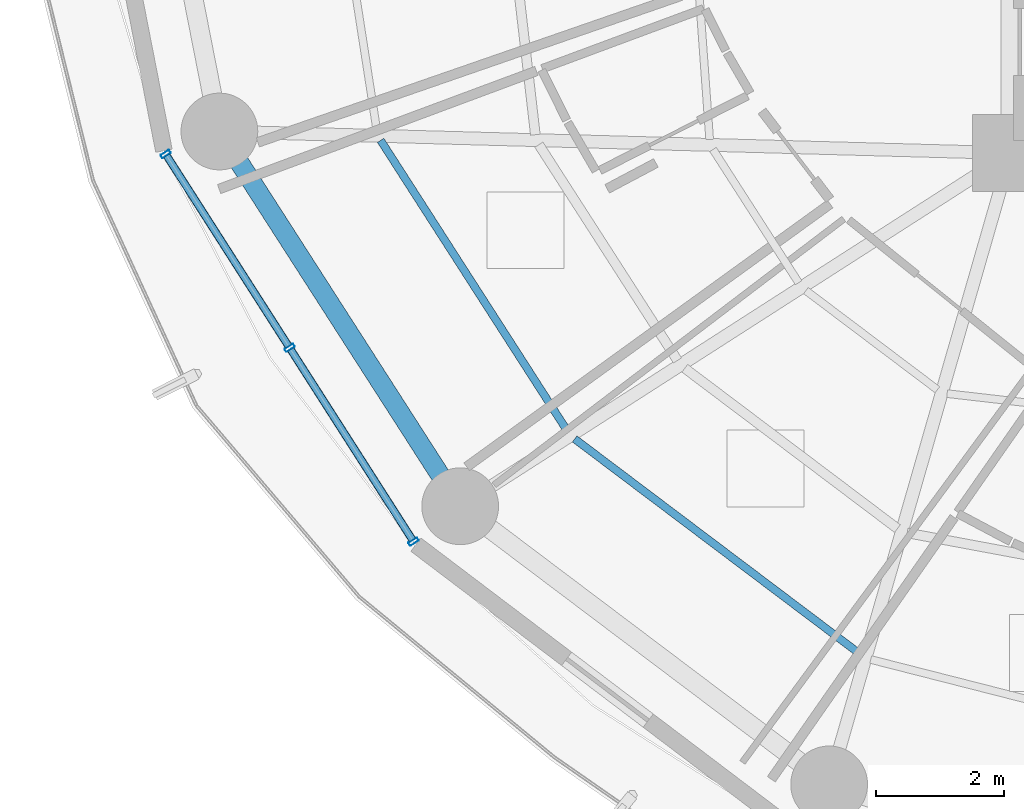
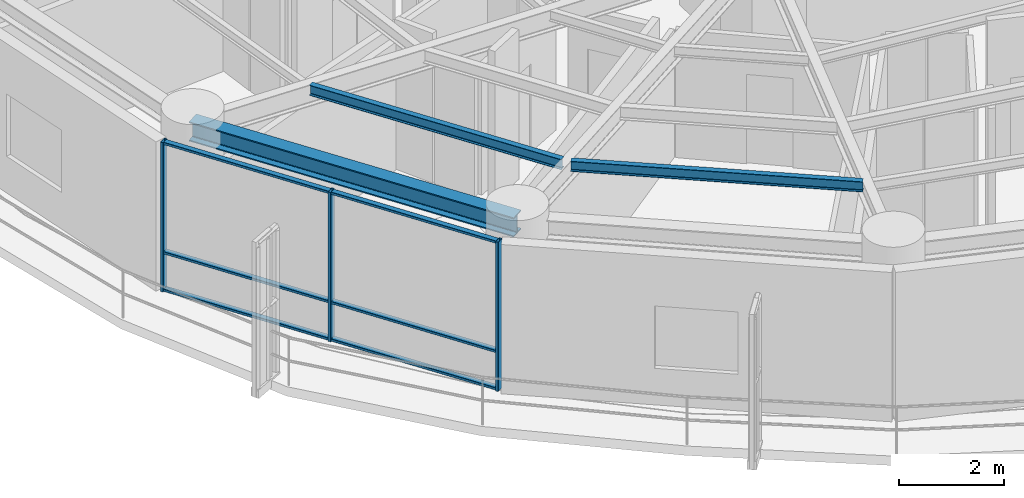
# One storey, part 2 of 27: 9 members, 3 beams, 1 element without a shape of its own.
"""IFC4 building model written with IfcOpenShell, lengths in metres."""

from ifc_helpers import new_model, si_unit, direction, frame, origin, origin_2d, place, context, subcontext, project, spatial, hollow_rectangle, i_section, extrude, material, layer, layer_set, material_profile, profile_set, type_object, element, aggregate, save


model = new_model("IFC4")

# Units and contexts
model_context = context("Model", 3, precision=1e-05, world=origin(), true_north=direction((0.0, 1.0)))
body_context = subcontext(model_context, "Body", "Model", "MODEL_VIEW")
ifc_project = project(units=[si_unit("LENGTHUNIT", "METRE"), si_unit("AREAUNIT", "SQUARE_METRE"), si_unit("VOLUMEUNIT", "CUBIC_METRE"), si_unit("PLANEANGLEUNIT", "RADIAN"), si_unit("MASSUNIT", "GRAM", prefix="KILO")], contexts=[model_context])

# Site, building, storey
site_placement = place(None, origin())
site = spatial("IfcSite", under=ifc_project, at=site_placement, CompositionType="ELEMENT")
building_placement = place(site_placement, origin())
building = spatial("IfcBuilding", under=site, at=building_placement, Name="Kelanora Arch Commons", CompositionType="ELEMENT")
storey_placement = place(building_placement, frame((0.0, 0.0, 143.10009765625)))
storey = spatial("IfcBuildingStorey", under=building, at=storey_placement, Name="L36", CompositionType="ELEMENT", Elevation=143.10009765625)

# Beams
ifc_material_1 = material(Name="Steel S355", Category="steel")
ifc_material_profile_1 = material_profile(ifc_material_1, i_section(OverallWidth=0.1201171875, OverallDepth=0.239990234375, WebThickness=0.006103515625, FlangeThickness=0.009765625, FilletRadius=0.014892578125, at=origin_2d()), Name="IPE240")
ifc_profile_set_1 = profile_set([ifc_material_profile_1], Name="Steel S355")
beam_type_1 = type_object("IfcBeamType", Name="BM-JST-02", PredefinedType="JOIST", material=ifc_profile_set_1)
beam_1_placement = place(storey_placement, frame((56.14794921875, 51.198486328125, 3.369873046875), z_axis=(0.540581678156, -0.841291536414, 0.0), x_axis=(0.841291536414, 0.540581678156, 0.0)))
element("IfcBeam", 1, at=beam_1_placement, inside=storey, type_object=beam_type_1, Name="Secondary Chord Joist BJC-20 L36", PredefinedType="JOIST", context=body_context, shape_type="SweptSolid", body=[
    extrude(i_section(OverallWidth=0.1201171875, OverallDepth=0.239990234375, WebThickness=0.006103515625, FlangeThickness=0.009765625, FilletRadius=0.014892578125, at=origin_2d()), origin(), (0.0, 0.0, 1.0), 5.4013671875),
])
beam_2_placement = place(storey_placement, frame((59.181640625, 46.531494140625, 3.369873046875), z_axis=(0.798493128577, -0.602003923256, 0.0), x_axis=(0.602003923256, 0.798493128577, 0.0)))
element("IfcBeam", 2, at=beam_2_placement, inside=storey, type_object=beam_type_1, Name="Secondary Chord Joist BJC-22 L36", PredefinedType="JOIST", context=body_context, shape_type="SweptSolid", body=[
    extrude(i_section(OverallWidth=0.1201171875, OverallDepth=0.239990234375, WebThickness=0.006103515625, FlangeThickness=0.009765625, FilletRadius=0.014892578125, at=origin_2d()), origin(), (0.0, 0.0, 1.0), 5.608642578125),
])
ifc_material_profile_2 = material_profile(ifc_material_1, i_section(OverallWidth=0.300048828125, OverallDepth=0.449951171875, WebThickness=0.013916015625, FlangeThickness=0.02587890625, FilletRadius=0.027099609375, at=origin_2d()), Name="HEB450")
ifc_profile_set_2 = profile_set([ifc_material_profile_2], Name="Steel S355")
beam_type_2 = type_object("IfcBeamType", Name="BM-SPN-Z3", PredefinedType="SPANDREL", material=ifc_profile_set_2)
beam_3_placement = place(storey_placement, frame((53.62744140625, 51.33740234375, 3.264892578125), z_axis=(0.540576852469, -0.841294637196, 0.0), x_axis=(0.841294637196, 0.540576852469, 0.0)))
element("IfcBeam", 3, at=beam_3_placement, inside=storey, type_object=beam_type_2, Name="Perimeter Spandrel Beam BS-20 L36", PredefinedType="SPANDREL", context=body_context, shape_type="SweptSolid", body=[
    extrude(i_section(OverallWidth=0.300048828125, OverallDepth=0.449951171875, WebThickness=0.013916015625, FlangeThickness=0.02587890625, FilletRadius=0.027099609375, at=origin_2d()), origin(), (0.0, 0.0, 1.0), 6.964111328125),
])

# Curtain wall, members
ifc_material_2 = material(Name="Terracotta ceramic-fritted low-E glass and aluminium", Category="masonry")
ifc_layer = layer(ifc_material_2, 0.175048828125)
ifc_layer_set = layer_set([ifc_layer], Name="Terracotta ceramic-fritted low-E glass and aluminium")
curtain_wall_type = type_object("IfcCurtainWallType", Name="CW-SYS-02", PredefinedType="NOTDEFINED", material=ifc_layer_set)
curtain_wall_placement = place(storey_placement, origin())
curtain_wall = element("IfcCurtainWall", 4, at=curtain_wall_placement, inside=storey, type_object=curtain_wall_type, Name="Unitised Curtain Wall L36-B10", PredefinedType="NOTDEFINED")
ifc_material_3 = material(Name="Powder-coated aluminium terracotta", Category="masonry")
ifc_material_profile_3 = material_profile(ifc_material_3, hollow_rectangle(XDim=0.159912109375, YDim=0.06005859375, WallThickness=0.0048828125, InnerFilletRadius=0.0048828125, OuterFilletRadius=0.010009765625, at=origin_2d()), Name="CWM160x60")
ifc_profile_set_3 = profile_set([ifc_material_profile_3], Name="Powder-coated aluminium terracotta")
member_type_1 = type_object("IfcMemberType", Name="CWM-STD", PredefinedType="MULLION", material=ifc_profile_set_3)
member_1_placement = place(storey_placement, frame((52.787109375, 50.98486328125, 0.0), z_axis=(0.0, 0.0, 1.0), x_axis=(0.842422846546, 0.538816988983, 0.0)))
member_1 = element("IfcMember", 5, at=member_1_placement, type_object=member_type_1, Name="CW-02 mullion 1", PredefinedType="MULLION", context=body_context, shape_type="SweptSolid", body=[
    extrude(hollow_rectangle(XDim=0.159912109375, YDim=0.06005859375, WallThickness=0.0048828125, InnerFilletRadius=0.0048828125, OuterFilletRadius=0.010009765625, at=origin_2d()), origin(), (0.0, 0.0, 1.0), 3.474853515625),
])
member_2_placement = place(storey_placement, frame((54.72509765625, 47.954833984375, 0.0), z_axis=(0.0, 0.0, 1.0), x_axis=(0.842422846546, 0.538816988983, 0.0)))
member_2 = element("IfcMember", 6, at=member_2_placement, type_object=member_type_1, Name="CW-02 mullion 2", PredefinedType="MULLION", context=body_context, shape_type="SweptSolid", body=[
    extrude(hollow_rectangle(XDim=0.159912109375, YDim=0.06005859375, WallThickness=0.0048828125, InnerFilletRadius=0.0048828125, OuterFilletRadius=0.010009765625, at=origin_2d()), origin(), (0.0, 0.0, 1.0), 3.474853515625),
])
member_3_placement = place(storey_placement, frame((56.6630859375, 44.925048828125, 0.0), z_axis=(0.0, 0.0, 1.0), x_axis=(0.842422846546, 0.538816988983, 0.0)))
member_3 = element("IfcMember", 7, at=member_3_placement, type_object=member_type_1, Name="CW-02 mullion 3", PredefinedType="MULLION", context=body_context, shape_type="SweptSolid", body=[
    extrude(hollow_rectangle(XDim=0.159912109375, YDim=0.06005859375, WallThickness=0.0048828125, InnerFilletRadius=0.0048828125, OuterFilletRadius=0.010009765625, at=origin_2d()), origin(), (0.0, 0.0, 1.0), 3.474853515625),
])
ifc_material_profile_4 = material_profile(ifc_material_3, hollow_rectangle(XDim=0.1201171875, YDim=0.06005859375, WallThickness=0.0048828125, InnerFilletRadius=0.0048828125, OuterFilletRadius=0.010009765625, at=origin_2d()), Name="CWT120x60")
ifc_profile_set_4 = profile_set([ifc_material_profile_4], Name="Powder-coated aluminium terracotta")
member_type_2 = type_object("IfcMemberType", Name="CWT-STD", PredefinedType="USERDEFINED", material=ifc_profile_set_4)
member_4_placement = place(storey_placement, frame((52.80322265625, 50.959716796875, 0.02978515625), z_axis=(0.53883037555, -0.842414284295, 0.0), x_axis=(0.842414284295, 0.53883037555, 0.0)))
member_4 = element("IfcMember", 8, at=member_4_placement, type_object=member_type_2, Name="CW-02 transom 1.1", ObjectType="TRANSOM", PredefinedType="USERDEFINED", context=body_context, shape_type="SweptSolid", body=[
    extrude(hollow_rectangle(XDim=0.1201171875, YDim=0.06005859375, WallThickness=0.0048828125, InnerFilletRadius=0.0048828125, OuterFilletRadius=0.010009765625, at=origin_2d()), origin(), (0.0, 0.0, 1.0), 3.536865234375),
])
member_5_placement = place(storey_placement, frame((52.80322265625, 50.959716796875, 0.89990234375), z_axis=(0.53883037555, -0.842414284295, 0.0), x_axis=(0.842414284295, 0.53883037555, 0.0)))
member_5 = element("IfcMember", 9, at=member_5_placement, type_object=member_type_2, Name="CW-02 transom 1.2", ObjectType="TRANSOM", PredefinedType="USERDEFINED", context=body_context, shape_type="SweptSolid", body=[
    extrude(hollow_rectangle(XDim=0.1201171875, YDim=0.06005859375, WallThickness=0.0048828125, InnerFilletRadius=0.0048828125, OuterFilletRadius=0.010009765625, at=origin_2d()), origin(), (0.0, 0.0, 1.0), 3.536865234375),
])
member_6_placement = place(storey_placement, frame((52.80322265625, 50.959716796875, 3.44482421875), z_axis=(0.53883037555, -0.842414284295, 0.0), x_axis=(0.842414284295, 0.53883037555, 0.0)))
member_6 = element("IfcMember", 10, at=member_6_placement, type_object=member_type_2, Name="CW-02 transom 1.3", ObjectType="TRANSOM", PredefinedType="USERDEFINED", context=body_context, shape_type="SweptSolid", body=[
    extrude(hollow_rectangle(XDim=0.1201171875, YDim=0.06005859375, WallThickness=0.0048828125, InnerFilletRadius=0.0048828125, OuterFilletRadius=0.010009765625, at=origin_2d()), origin(), (0.0, 0.0, 1.0), 3.536865234375),
])
member_7_placement = place(storey_placement, frame((54.7412109375, 47.9296875, 0.02978515625), z_axis=(0.53883037555, -0.842414284295, 0.0), x_axis=(0.842414284295, 0.53883037555, 0.0)))
member_7 = element("IfcMember", 11, at=member_7_placement, type_object=member_type_2, Name="CW-02 transom 2.1", ObjectType="TRANSOM", PredefinedType="USERDEFINED", context=body_context, shape_type="SweptSolid", body=[
    extrude(hollow_rectangle(XDim=0.1201171875, YDim=0.06005859375, WallThickness=0.0048828125, InnerFilletRadius=0.0048828125, OuterFilletRadius=0.010009765625, at=origin_2d()), origin(), (0.0, 0.0, 1.0), 3.536865234375),
])
member_8_placement = place(storey_placement, frame((54.7412109375, 47.9296875, 0.89990234375), z_axis=(0.53883037555, -0.842414284295, 0.0), x_axis=(0.842414284295, 0.53883037555, 0.0)))
member_8 = element("IfcMember", 12, at=member_8_placement, type_object=member_type_2, Name="CW-02 transom 2.2", ObjectType="TRANSOM", PredefinedType="USERDEFINED", context=body_context, shape_type="SweptSolid", body=[
    extrude(hollow_rectangle(XDim=0.1201171875, YDim=0.06005859375, WallThickness=0.0048828125, InnerFilletRadius=0.0048828125, OuterFilletRadius=0.010009765625, at=origin_2d()), origin(), (0.0, 0.0, 1.0), 3.536865234375),
])
member_9_placement = place(storey_placement, frame((54.7412109375, 47.9296875, 3.44482421875), z_axis=(0.53883037555, -0.842414284295, 0.0), x_axis=(0.842414284295, 0.53883037555, 0.0)))
member_9 = element("IfcMember", 13, at=member_9_placement, type_object=member_type_2, Name="CW-02 transom 2.3", ObjectType="TRANSOM", PredefinedType="USERDEFINED", context=body_context, shape_type="SweptSolid", body=[
    extrude(hollow_rectangle(XDim=0.1201171875, YDim=0.06005859375, WallThickness=0.0048828125, InnerFilletRadius=0.0048828125, OuterFilletRadius=0.010009765625, at=origin_2d()), origin(), (0.0, 0.0, 1.0), 3.536865234375),
])
aggregate(curtain_wall, [member_1, member_2, member_3, member_4, member_5, member_6, member_7, member_8, member_9])

save(model, "model.ifc")
